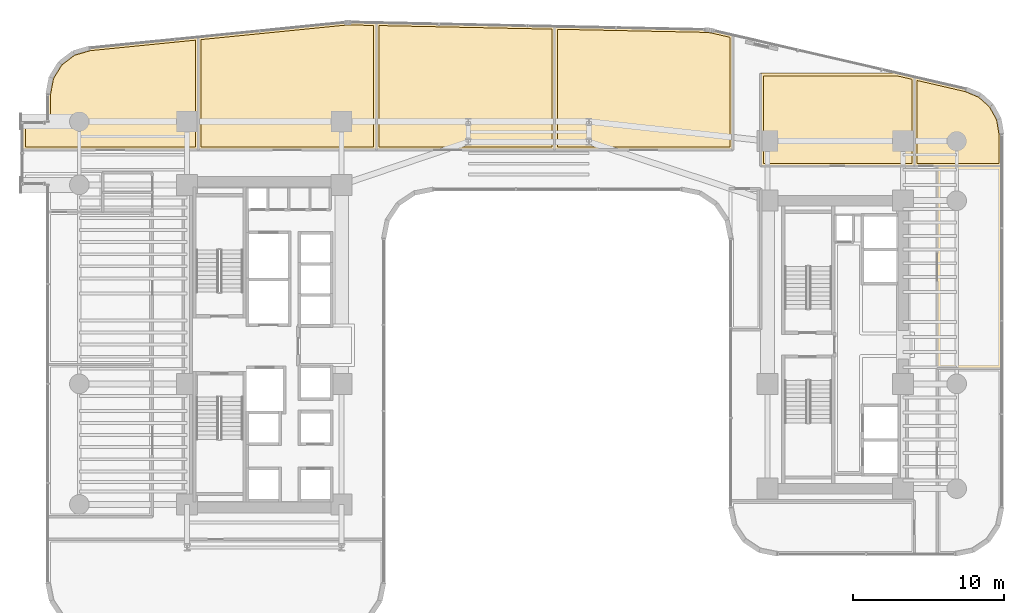
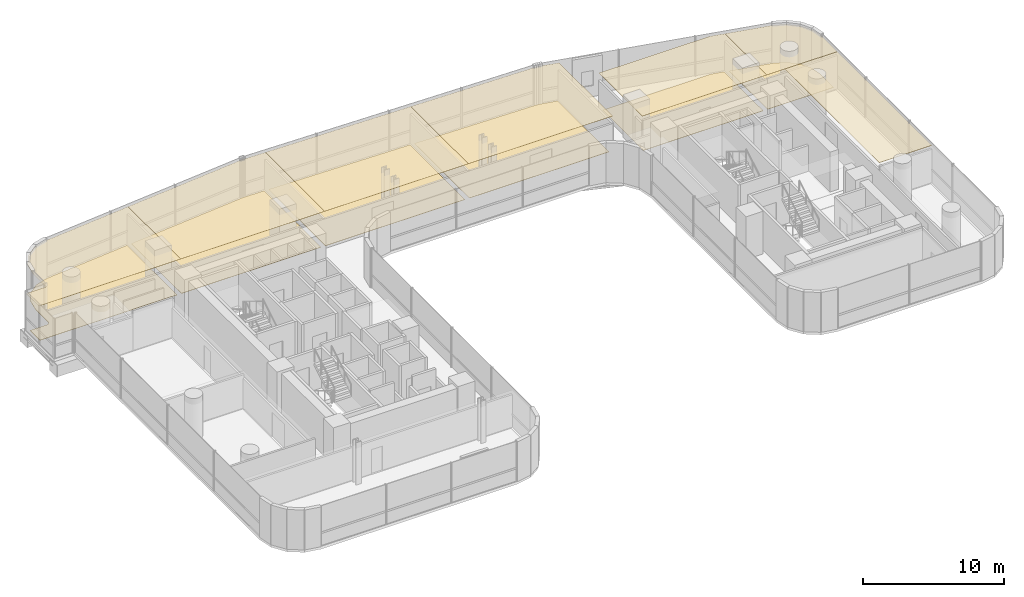
# One storey, part 40 of 40: 13 coverings.
"""IFC4 building model written with IfcOpenShell, lengths in metres."""

from ifc_helpers import new_model, si_unit, direction, frame, origin, place, context, subcontext, project, spatial, polyline, outline, extrude, material, layer, layer_set, type_object, element, save


model = new_model("IFC4")

# Units and contexts
model_context = context("Model", 3, precision=1e-05, world=origin(), true_north=direction((0.0, 1.0)))
body_context = subcontext(model_context, "Body", "Model", "MODEL_VIEW")
ifc_project = project(units=[si_unit("LENGTHUNIT", "METRE"), si_unit("AREAUNIT", "SQUARE_METRE"), si_unit("VOLUMEUNIT", "CUBIC_METRE"), si_unit("PLANEANGLEUNIT", "RADIAN"), si_unit("MASSUNIT", "GRAM", prefix="KILO")], contexts=[model_context])

# Site, building, storey
site_placement = place(None, origin())
site = spatial("IfcSite", under=ifc_project, at=site_placement, CompositionType="ELEMENT")
building_placement = place(site_placement, origin())
building = spatial("IfcBuilding", under=site, at=building_placement, Name="Valdorenza Pilgrim Sanctuary Tower", CompositionType="ELEMENT")
storey_placement = place(building_placement, frame((0.0, 0.0, 48.199951171875)))
storey = spatial("IfcBuildingStorey", under=building, at=storey_placement, Name="L11", CompositionType="ELEMENT", Elevation=48.199951171875)

# Coverings
ifc_material_1 = material(Name="Micro-perforated acoustic mineral ceiling tile", Category="gypsum")
ifc_layer_1 = layer(ifc_material_1, 0.02490234375, Name="Micro-perforated acoustic mineral ceiling tile")
ifc_layer_set_1 = layer_set([ifc_layer_1], Name="Micro-perforated acoustic mineral ceiling tile")
covering_type_1 = type_object("IfcCoveringType", Name="COV-CLG-ACU", PredefinedType="CEILING", material=ifc_layer_set_1)
covering_1_placement = place(storey_placement, frame((0.0, 0.0, 3.16015625)))
element("IfcCovering", 1, at=covering_1_placement, inside=storey, type_object=covering_type_1, Name="L11 Sacred Art Exhibition Gallery L11-N1 Acoustic Ceiling", PredefinedType="CEILING", context=body_context, shape_type="SweptSolid", body=[
    extrude(outline(polyline([(-33.5400390625, 12.905029296875), (-33.54150390625, 12.905029296875), (-33.54296875, 12.9052734375), (-33.54443359375, 12.905517578125), (-33.545654296875, 12.906005859375), (-33.547119140625, 12.90673828125), (-33.54833984375, 12.907470703125), (-33.549560546875, 12.908447265625), (-33.550537109375, 12.909423828125), (-33.551513671875, 12.910400390625), (-33.552490234375, 12.91162109375), (-33.55322265625, 12.912841796875), (-33.553955078125, 12.914306640625), (-33.554443359375, 12.91552734375), (-33.5546875, 12.9169921875), (-33.554931640625, 12.91845703125), (-33.554931640625, 12.919921875), (-33.554931640625, 14.68994140625), (-33.554931640625, 14.69140625), (-33.5546875, 14.69287109375), (-33.554443359375, 14.6943359375), (-33.553955078125, 14.69580078125), (-33.55322265625, 14.697021484375), (-33.552490234375, 14.6982421875), (-33.551513671875, 14.699462890625), (-33.550537109375, 14.70068359375), (-33.549560546875, 14.70166015625), (-33.54833984375, 14.702392578125), (-33.547119140625, 14.703125), (-33.545654296875, 14.703857421875), (-33.54443359375, 14.704345703125), (-33.54296875, 14.70458984375), (-33.54150390625, 14.704833984375), (-33.5400390625, 14.705078125), (-32.00048828125, 14.705078125), (-31.99072265625, 14.70556640625), (-31.9814453125, 14.706787109375), (-31.972412109375, 14.708984375), (-31.963623046875, 14.712158203125), (-31.955078125, 14.71630859375), (-31.947265625, 14.720947265625), (-31.939697265625, 14.7265625), (-31.932861328125, 14.73291015625), (-31.926513671875, 14.73974609375), (-31.9208984375, 14.747314453125), (-31.916259765625, 14.755126953125), (-31.912109375, 14.763671875), (-31.9091796875, 14.7724609375), (-31.90673828125, 14.781494140625), (-31.905517578125, 14.790771484375), (-31.905029296875, 14.80029296875), (-31.905029296875, 16.593994140625), (-31.90478515625, 16.59521484375), (-31.90478515625, 16.5966796875), (-31.6962890625, 17.717041015625), (-31.696044921875, 17.718505859375), (-31.695556640625, 17.7197265625), (-31.695068359375, 17.720947265625), (-31.6943359375, 17.72216796875), (-31.102294921875, 18.68408203125), (-31.1015625, 18.685302734375), (-31.100830078125, 18.686279296875), (-31.099853515625, 18.687255859375), (-31.0986328125, 18.688232421875), (-30.20068359375, 19.372802734375), (-30.199462890625, 19.37353515625), (-30.1982421875, 19.374267578125), (-30.197021484375, 19.374755859375), (-30.19580078125, 19.375244140625), (-29.1015625, 19.694091796875), (-29.10009765625, 19.694580078125), (-29.098876953125, 19.694580078125), (-21.9189453125, 20.41259765625), (-21.91748046875, 20.41259765625), (-21.916015625, 20.41259765625), (-21.91455078125, 20.412353515625), (-21.9130859375, 20.412109375), (-21.911865234375, 20.41162109375), (-21.910400390625, 20.410888671875), (-21.9091796875, 20.41015625), (-21.907958984375, 20.4091796875), (-21.906982421875, 20.408203125), (-21.906005859375, 20.4072265625), (-21.905029296875, 20.406005859375), (-21.904296875, 20.40478515625), (-21.903564453125, 20.403564453125), (-21.903076171875, 20.402099609375), (-21.90283203125, 20.400634765625), (-21.902587890625, 20.399169921875), (-21.902587890625, 20.397705078125), (-21.902587890625, 12.919921875), (-21.902587890625, 12.91845703125), (-21.90283203125, 12.9169921875), (-21.903076171875, 12.91552734375), (-21.903564453125, 12.914306640625), (-21.904296875, 12.912841796875), (-21.905029296875, 12.91162109375), (-21.906005859375, 12.910400390625), (-21.906982421875, 12.909423828125), (-21.907958984375, 12.908447265625), (-21.9091796875, 12.907470703125), (-21.910400390625, 12.90673828125), (-21.911865234375, 12.906005859375), (-21.9130859375, 12.905517578125), (-21.91455078125, 12.9052734375), (-21.916015625, 12.905029296875), (-21.91748046875, 12.905029296875), (-33.5400390625, 12.905029296875)])), origin(), (0.0, 0.0, 1.0), 0.02490234375),
])
covering_2_placement = place(storey_placement, frame((0.0, 0.0, 3.16015625)))
element("IfcCovering", 2, at=covering_2_placement, inside=storey, type_object=covering_type_1, Name="L11 Sacred Art Exhibition Gallery L11-N2 Acoustic Ceiling", PredefinedType="CEILING", context=body_context, shape_type="SweptSolid", body=[
    extrude(outline(polyline([(-21.930419921875, 20.397705078125), (-21.930419921875, 20.398681640625), (-21.930419921875, 20.400390625), (-21.929931640625, 20.401611328125), (-21.9296875, 20.4033203125), (-21.928955078125, 20.404541015625), (-21.92822265625, 20.406005859375), (-21.92724609375, 20.406982421875), (-21.926513671875, 20.408203125), (-21.92529296875, 20.4091796875), (-21.924072265625, 20.410400390625), (-21.9228515625, 20.4111328125), (-21.92138671875, 20.41162109375), (-21.919921875, 20.412109375), (-21.91845703125, 20.41259765625), (-21.9169921875, 20.412841796875), (-12.18359375, 21.38623046875), (-12.183349609375, 21.38623046875), (-12.089599609375, 21.39404296875), (-12.089111328125, 21.39404296875), (-11.996337890625, 21.399169921875), (-11.995849609375, 21.3994140625), (-11.902587890625, 21.401611328125), (-11.90234375, 21.401611328125), (-11.808349609375, 21.40087890625), (-11.80810546875, 21.40087890625), (-10.0947265625, 21.365234375), (-10.09326171875, 21.365234375), (-10.091796875, 21.364990234375), (-10.09033203125, 21.364501953125), (-10.089111328125, 21.364013671875), (-10.087646484375, 21.36328125), (-10.08642578125, 21.36279296875), (-10.085205078125, 21.36181640625), (-10.084228515625, 21.36083984375), (-10.083251953125, 21.359619140625), (-10.08251953125, 21.3583984375), (-10.081787109375, 21.357421875), (-10.0810546875, 21.35595703125), (-10.08056640625, 21.3544921875), (-10.080322265625, 21.353271484375), (-10.080078125, 21.351806640625), (-10.080078125, 21.350341796875), (-10.080078125, 12.919921875), (-10.080078125, 12.91845703125), (-10.080322265625, 12.9169921875), (-10.08056640625, 12.91552734375), (-10.0810546875, 12.914306640625), (-10.081787109375, 12.912841796875), (-10.08251953125, 12.91162109375), (-10.08349609375, 12.910400390625), (-10.08447265625, 12.909423828125), (-10.08544921875, 12.908447265625), (-10.086669921875, 12.907470703125), (-10.087890625, 12.90673828125), (-10.08935546875, 12.906005859375), (-10.090576171875, 12.905517578125), (-10.092041015625, 12.9052734375), (-10.093505859375, 12.905029296875), (-10.094970703125, 12.905029296875), (-21.91552734375, 12.905029296875), (-21.9169921875, 12.905029296875), (-21.91845703125, 12.9052734375), (-21.919921875, 12.905517578125), (-21.921142578125, 12.906005859375), (-21.922607421875, 12.90673828125), (-21.923828125, 12.907470703125), (-21.925048828125, 12.908447265625), (-21.926025390625, 12.909423828125), (-21.927001953125, 12.910400390625), (-21.927978515625, 12.91162109375), (-21.9287109375, 12.912841796875), (-21.929443359375, 12.914306640625), (-21.929931640625, 12.91552734375), (-21.93017578125, 12.9169921875), (-21.930419921875, 12.91845703125), (-21.930419921875, 12.919921875), (-21.930419921875, 20.397705078125), (-21.930419921875, 20.397705078125)])), origin(), (0.0, 0.0, 1.0), 0.02490234375),
])
covering_3_placement = place(storey_placement, frame((0.0, 0.0, 3.16015625)))
element("IfcCovering", 3, at=covering_3_placement, inside=storey, type_object=covering_type_1, Name="L11 Sacred Art Exhibition Gallery L11-N3 Acoustic Ceiling", PredefinedType="CEILING", context=body_context, shape_type="SweptSolid", body=[
    extrude(outline(polyline([(-10.093017578125, 12.905029296875), (-10.094482421875, 12.905029296875), (-10.095947265625, 12.9052734375), (-10.097412109375, 12.905517578125), (-10.0986328125, 12.906005859375), (-10.10009765625, 12.90673828125), (-10.101318359375, 12.907470703125), (-10.1025390625, 12.908447265625), (-10.103515625, 12.909423828125), (-10.1044921875, 12.910400390625), (-10.10546875, 12.91162109375), (-10.106201171875, 12.912841796875), (-10.10693359375, 12.914306640625), (-10.107421875, 12.91552734375), (-10.107666015625, 12.9169921875), (-10.10791015625, 12.91845703125), (-10.10791015625, 12.919921875), (-10.10791015625, 21.350341796875), (-10.10791015625, 21.351806640625), (-10.107666015625, 21.353271484375), (-10.107421875, 21.354736328125), (-10.106689453125, 21.356201171875), (-10.106201171875, 21.357421875), (-10.10546875, 21.358642578125), (-10.1044921875, 21.35986328125), (-10.103515625, 21.361083984375), (-10.102294921875, 21.362060546875), (-10.101318359375, 21.36279296875), (-10.099853515625, 21.363525390625), (-10.098388671875, 21.3642578125), (-10.09716796875, 21.36474609375), (-10.095703125, 21.364990234375), (-10.09423828125, 21.365234375), (-10.0927734375, 21.365234375), (1.727783203125, 21.118896484375), (1.729248046875, 21.118896484375), (1.730712890625, 21.11865234375), (1.732177734375, 21.118408203125), (1.7333984375, 21.117919921875), (1.73486328125, 21.1171875), (1.736083984375, 21.116455078125), (1.7373046875, 21.115478515625), (1.73828125, 21.114501953125), (1.7392578125, 21.11328125), (1.739990234375, 21.1123046875), (1.74072265625, 21.111083984375), (1.741455078125, 21.109619140625), (1.741943359375, 21.1083984375), (1.7421875, 21.10693359375), (1.742431640625, 21.10546875), (1.742431640625, 21.10400390625), (1.742431640625, 12.919921875), (1.742431640625, 12.91845703125), (1.7421875, 12.9169921875), (1.741943359375, 12.91552734375), (1.741455078125, 12.914306640625), (1.74072265625, 12.912841796875), (1.739990234375, 12.91162109375), (1.739013671875, 12.910400390625), (1.738037109375, 12.909423828125), (1.737060546875, 12.908447265625), (1.73583984375, 12.907470703125), (1.734619140625, 12.90673828125), (1.733154296875, 12.906005859375), (1.73193359375, 12.905517578125), (1.73046875, 12.9052734375), (1.72900390625, 12.905029296875), (1.7275390625, 12.905029296875), (-10.093017578125, 12.905029296875)])), origin(), (0.0, 0.0, 1.0), 0.02490234375),
])
covering_4_placement = place(storey_placement, frame((0.0, 0.0, 3.16015625)))
element("IfcCovering", 4, at=covering_4_placement, inside=storey, type_object=covering_type_1, Name="L11 Sacred Art Exhibition Gallery L11-N4 Acoustic Ceiling", PredefinedType="CEILING", context=body_context, shape_type="SweptSolid", body=[
    extrude(outline(polyline([(1.7294921875, 12.905029296875), (1.72802734375, 12.905029296875), (1.7265625, 12.9052734375), (1.72509765625, 12.905517578125), (1.723876953125, 12.906005859375), (1.722412109375, 12.90673828125), (1.72119140625, 12.907470703125), (1.719970703125, 12.908447265625), (1.718994140625, 12.909423828125), (1.718017578125, 12.910400390625), (1.717041015625, 12.91162109375), (1.71630859375, 12.912841796875), (1.715576171875, 12.914306640625), (1.715087890625, 12.91552734375), (1.71484375, 12.9169921875), (1.714599609375, 12.91845703125), (1.714599609375, 12.919921875), (1.714599609375, 21.10400390625), (1.714599609375, 21.10546875), (1.71484375, 21.10693359375), (1.715087890625, 21.1083984375), (1.7158203125, 21.10986328125), (1.71630859375, 21.111083984375), (1.717041015625, 21.1123046875), (1.718017578125, 21.113525390625), (1.718994140625, 21.11474609375), (1.72021484375, 21.11572265625), (1.72119140625, 21.116455078125), (1.72265625, 21.1171875), (1.72412109375, 21.117919921875), (1.725341796875, 21.118408203125), (1.726806640625, 21.11865234375), (1.728271484375, 21.118896484375), (1.729736328125, 21.118896484375), (11.666015625, 20.912109375), (11.66650390625, 20.911865234375), (11.82666015625, 20.904296875), (11.827392578125, 20.904296875), (11.98583984375, 20.888916015625), (11.986572265625, 20.888671875), (12.143798828125, 20.864990234375), (12.14453125, 20.864990234375), (12.302001953125, 20.832763671875), (12.30224609375, 20.832763671875), (13.553466796875, 20.5439453125), (13.5546875, 20.543701171875), (13.55615234375, 20.543212890625), (13.557373046875, 20.54248046875), (13.55859375, 20.541748046875), (13.559814453125, 20.540771484375), (13.560791015625, 20.539794921875), (13.561767578125, 20.538818359375), (13.5625, 20.53759765625), (13.563232421875, 20.536376953125), (13.56396484375, 20.534912109375), (13.564453125, 20.53369140625), (13.564697265625, 20.5322265625), (13.56494140625, 20.53076171875), (13.56494140625, 20.529296875), (13.56494140625, 12.919921875), (13.56494140625, 12.91845703125), (13.564697265625, 12.9169921875), (13.564453125, 12.91552734375), (13.56396484375, 12.914306640625), (13.563232421875, 12.912841796875), (13.5625, 12.91162109375), (13.5615234375, 12.910400390625), (13.560546875, 12.909423828125), (13.5595703125, 12.908447265625), (13.558349609375, 12.907470703125), (13.55712890625, 12.90673828125), (13.5556640625, 12.906005859375), (13.554443359375, 12.905517578125), (13.552978515625, 12.9052734375), (13.551513671875, 12.905029296875), (13.550048828125, 12.905029296875), (1.7294921875, 12.905029296875)])), origin(), (0.0, 0.0, 1.0), 0.02490234375),
])
covering_5_placement = place(storey_placement, frame((0.0, 0.0, 3.16015625)))
element("IfcCovering", 5, at=covering_5_placement, inside=storey, type_object=covering_type_1, Name="L11 Curator Research Office L11-BN1 Acoustic Ceiling", PredefinedType="CEILING", context=body_context, shape_type="SweptSolid", body=[
    extrude(outline(polyline([(15.39990234375, 11.8349609375), (15.3984375, 11.835205078125), (15.397216796875, 11.835205078125), (15.3955078125, 11.835693359375), (15.394287109375, 11.836181640625), (15.392822265625, 11.8369140625), (15.3916015625, 11.83740234375), (15.390380859375, 11.83837890625), (15.389404296875, 11.83935546875), (15.388427734375, 11.840576171875), (15.387451171875, 11.841796875), (15.38671875, 11.843017578125), (15.385986328125, 11.84423828125), (15.385498046875, 11.845703125), (15.38525390625, 11.84716796875), (15.385009765625, 11.848388671875), (15.385009765625, 11.85009765625), (15.385009765625, 18.0), (15.385009765625, 18.00146484375), (15.38525390625, 18.0029296875), (15.385498046875, 18.00439453125), (15.385986328125, 18.005615234375), (15.38671875, 18.007080078125), (15.387451171875, 18.00830078125), (15.388427734375, 18.009521484375), (15.389404296875, 18.010498046875), (15.390380859375, 18.01171875), (15.3916015625, 18.012451171875), (15.392822265625, 18.01318359375), (15.394287109375, 18.013916015625), (15.3955078125, 18.014404296875), (15.397216796875, 18.0146484375), (15.3984375, 18.014892578125), (15.39990234375, 18.014892578125), (24.5107421875, 18.014892578125), (24.512451171875, 18.014892578125), (24.51416015625, 18.0146484375), (25.603515625, 17.76318359375), (25.604736328125, 17.762939453125), (25.606201171875, 17.76220703125), (25.607421875, 17.76171875), (25.608642578125, 17.760986328125), (25.609619140625, 17.760009765625), (25.61083984375, 17.759033203125), (25.61181640625, 17.758056640625), (25.612548828125, 17.7568359375), (25.61328125, 17.755615234375), (25.614013671875, 17.75439453125), (25.614501953125, 17.7529296875), (25.61474609375, 17.75146484375), (25.614990234375, 17.75), (25.614990234375, 17.74853515625), (25.614990234375, 11.85009765625), (25.614990234375, 11.848388671875), (25.61474609375, 11.84716796875), (25.614501953125, 11.845703125), (25.614013671875, 11.84423828125), (25.61328125, 11.843017578125), (25.612548828125, 11.841796875), (25.611572265625, 11.840576171875), (25.610595703125, 11.83935546875), (25.609619140625, 11.83837890625), (25.6083984375, 11.83740234375), (25.607177734375, 11.8369140625), (25.605712890625, 11.836181640625), (25.6044921875, 11.835693359375), (25.602783203125, 11.835205078125), (25.6015625, 11.835205078125), (25.60009765625, 11.8349609375), (15.39990234375, 11.8349609375)])), origin(), (0.0, 0.0, 1.0), 0.02490234375),
])
covering_6_placement = place(storey_placement, frame((0.0, 0.0, 3.16015625)))
element("IfcCovering", 6, at=covering_6_placement, inside=storey, type_object=covering_type_1, Name="L11 East Wing Reference Library L11-BNE Acoustic Ceiling", PredefinedType="CEILING", context=body_context, shape_type="SweptSolid", body=[
    extrude(outline(polyline([(28.9892578125, 16.98193359375), (28.990478515625, 16.981689453125), (28.99169921875, 16.981201171875), (29.95361328125, 16.580322265625), (29.955078125, 16.57958984375), (29.95654296875, 16.57861328125), (29.9580078125, 16.57763671875), (30.72705078125, 15.88818359375), (30.728271484375, 15.886962890625), (30.729248046875, 15.8857421875), (30.72998046875, 15.88427734375), (31.22900390625, 14.97998046875), (31.2294921875, 14.978271484375), (31.230224609375, 14.976806640625), (31.230712890625, 14.97509765625), (31.40478515625, 13.947509765625), (31.40478515625, 13.9462890625), (31.405029296875, 13.945068359375), (31.405029296875, 11.85009765625), (31.40478515625, 11.848388671875), (31.40478515625, 11.84716796875), (31.404296875, 11.845703125), (31.40380859375, 11.84423828125), (31.4033203125, 11.843017578125), (31.402587890625, 11.841796875), (31.401611328125, 11.840576171875), (31.400634765625, 11.83935546875), (31.3994140625, 11.83837890625), (31.398193359375, 11.83740234375), (31.397216796875, 11.8369140625), (31.395751953125, 11.836181640625), (31.394287109375, 11.835693359375), (31.392822265625, 11.835205078125), (31.3916015625, 11.835205078125), (31.389892578125, 11.8349609375), (25.60205078125, 11.8349609375), (25.6005859375, 11.835205078125), (25.59912109375, 11.835205078125), (25.59765625, 11.835693359375), (25.59619140625, 11.836181640625), (25.594970703125, 11.8369140625), (25.59375, 11.83740234375), (25.592529296875, 11.83837890625), (25.59130859375, 11.83935546875), (25.59033203125, 11.840576171875), (25.589599609375, 11.841796875), (25.5888671875, 11.843017578125), (25.588134765625, 11.84423828125), (25.587646484375, 11.845703125), (25.58740234375, 11.84716796875), (25.587158203125, 11.848388671875), (25.5869140625, 11.85009765625), (25.5869140625, 17.748291015625), (25.587158203125, 17.749755859375), (25.58740234375, 17.751220703125), (25.587646484375, 17.752685546875), (25.588134765625, 17.75390625), (25.5888671875, 17.75537109375), (25.589599609375, 17.756591796875), (25.590576171875, 17.7578125), (25.591552734375, 17.7587890625), (25.5927734375, 17.760009765625), (25.593994140625, 17.7607421875), (25.59521484375, 17.761474609375), (25.596435546875, 17.76220703125), (25.597900390625, 17.7626953125), (25.599365234375, 17.762939453125), (25.600830078125, 17.76318359375), (25.602294921875, 17.76318359375), (25.60400390625, 17.76318359375), (25.60546875, 17.7626953125), (28.9892578125, 16.98193359375)])), origin(), (0.0, 0.0, 1.0), 0.02490234375),
])
covering_7_placement = place(storey_placement, frame((0.0, 0.0, 3.16015625)))
element("IfcCovering", 7, at=covering_7_placement, inside=storey, type_object=covering_type_1, Name="L11 Sacred Art Exhibition Gallery L11-EB2 Acoustic Ceiling", PredefinedType="CEILING", context=body_context, shape_type="SweptSolid", body=[
    extrude(outline(polyline([(27.0849609375, 11.847900390625), (27.085205078125, 11.849609375), (27.085205078125, 11.850830078125), (27.085693359375, 11.852294921875), (27.086181640625, 11.853759765625), (27.0869140625, 11.85498046875), (27.08740234375, 11.856201171875), (27.08837890625, 11.857421875), (27.08935546875, 11.858642578125), (27.090576171875, 11.859619140625), (27.091796875, 11.860595703125), (27.093017578125, 11.861083984375), (27.09423828125, 11.86181640625), (27.095703125, 11.8623046875), (27.09716796875, 11.86279296875), (27.098388671875, 11.86279296875), (27.10009765625, 11.863037109375), (31.389892578125, 11.863037109375), (31.3916015625, 11.86279296875), (31.392822265625, 11.86279296875), (31.394287109375, 11.8623046875), (31.395751953125, 11.86181640625), (31.397216796875, 11.861083984375), (31.398193359375, 11.860595703125), (31.3994140625, 11.859619140625), (31.400634765625, 11.858642578125), (31.401611328125, 11.857421875), (31.402587890625, 11.856201171875), (31.4033203125, 11.85498046875), (31.40380859375, 11.853759765625), (31.404296875, 11.852294921875), (31.40478515625, 11.850830078125), (31.40478515625, 11.849609375), (31.405029296875, 11.847900390625), (31.405029296875, -1.572998046875), (31.40478515625, -1.574462890625), (31.40478515625, -1.575927734375), (31.404296875, -1.577392578125), (31.40380859375, -1.57861328125), (31.4033203125, -1.580078125), (31.402587890625, -1.581298828125), (31.401611328125, -1.58251953125), (31.400634765625, -1.58349609375), (31.3994140625, -1.584716796875), (31.398193359375, -1.58544921875), (31.397216796875, -1.586181640625), (31.395751953125, -1.5869140625), (31.394287109375, -1.58740234375), (31.392822265625, -1.587646484375), (31.3916015625, -1.587890625), (31.389892578125, -1.587890625), (27.10009765625, -1.587890625), (27.098388671875, -1.587890625), (27.09716796875, -1.587646484375), (27.095703125, -1.58740234375), (27.09423828125, -1.5869140625), (27.093017578125, -1.586181640625), (27.091796875, -1.58544921875), (27.090576171875, -1.584716796875), (27.08935546875, -1.58349609375), (27.08837890625, -1.58251953125), (27.08740234375, -1.581298828125), (27.0869140625, -1.580078125), (27.086181640625, -1.57861328125), (27.085693359375, -1.577392578125), (27.085205078125, -1.575927734375), (27.085205078125, -1.574462890625), (27.0849609375, -1.572998046875), (27.0849609375, 11.847900390625)])), origin(), (0.0, 0.0, 1.0), 0.02490234375),
])
ifc_material_2 = material(Name="Honed travertine stone flooring", Category="masonry")
ifc_layer_2 = layer(ifc_material_2, 0.030029296875, Name="Honed travertine stone flooring")
ifc_layer_set_2 = layer_set([ifc_layer_2], Name="Honed travertine stone flooring")
covering_type_2 = type_object("IfcCoveringType", Name="COV-FLR-TRV", PredefinedType="FLOORING", material=ifc_layer_set_2)
covering_8_placement = place(storey_placement, origin())
element("IfcCovering", 8, at=covering_8_placement, inside=storey, type_object=covering_type_2, Name="L11 Sacred Art Exhibition Gallery L11-N1 Flooring", PredefinedType="FLOORING", context=body_context, shape_type="SweptSolid", body=[
    extrude(outline(polyline([(-33.360107421875, 13.10009765625), (-33.360107421875, 14.510009765625), (-32.0, 14.510009765625), (-31.9912109375, 14.51025390625), (-31.98046875, 14.5107421875), (-31.962890625, 14.512451171875), (-31.9521484375, 14.51416015625), (-31.934814453125, 14.517578125), (-31.92431640625, 14.52001953125), (-31.907470703125, 14.525390625), (-31.897216796875, 14.52880859375), (-31.880859375, 14.53564453125), (-31.87109375, 14.540283203125), (-31.855712890625, 14.548583984375), (-31.84619140625, 14.55419921875), (-31.831787109375, 14.56396484375), (-31.822998046875, 14.5703125), (-31.809326171875, 14.58154296875), (-31.80126953125, 14.5888671875), (-31.788818359375, 14.601318359375), (-31.781494140625, 14.609375), (-31.7705078125, 14.623046875), (-31.763916015625, 14.631591796875), (-31.754150390625, 14.646240234375), (-31.74853515625, 14.655517578125), (-31.740234375, 14.671142578125), (-31.735595703125, 14.680908203125), (-31.72900390625, 14.697265625), (-31.725341796875, 14.70751953125), (-31.72021484375, 14.724365234375), (-31.717529296875, 14.73486328125), (-31.714111328125, 14.752197265625), (-31.71240234375, 14.7626953125), (-31.710693359375, 14.780517578125), (-31.710205078125, 14.791259765625), (-31.7099609375, 14.800048828125), (-31.7099609375, 16.577392578125), (-31.5107421875, 17.6484375), (-30.953857421875, 18.553466796875), (-30.109130859375, 19.197509765625), (-29.06298828125, 19.502197265625), (-22.097412109375, 20.19873046875), (-22.097412109375, 13.10009765625), (-33.360107421875, 13.10009765625)])), origin(), (0.0, 0.0, 1.0), 0.025146484375),
])
covering_9_placement = place(storey_placement, origin())
element("IfcCovering", 9, at=covering_9_placement, inside=storey, type_object=covering_type_2, Name="L11 Sacred Art Exhibition Gallery L11-N2 Flooring", PredefinedType="FLOORING", context=body_context, shape_type="SweptSolid", body=[
    extrude(outline(polyline([(-21.735595703125, 13.10009765625), (-21.735595703125, 20.23486328125), (-12.16552734375, 21.19189453125), (-12.07568359375, 21.19970703125), (-11.98828125, 21.204345703125), (-11.900634765625, 21.20654296875), (-11.810791015625, 21.2060546875), (-10.27490234375, 21.174072265625), (-10.27490234375, 13.10009765625), (-21.735595703125, 13.10009765625)])), origin(), (0.0, 0.0, 1.0), 0.025146484375),
])
covering_10_placement = place(storey_placement, origin())
element("IfcCovering", 10, at=covering_10_placement, inside=storey, type_object=covering_type_2, Name="L11 Sacred Art Exhibition Gallery L11-N3 Flooring", PredefinedType="FLOORING", context=body_context, shape_type="SweptSolid", body=[
    extrude(outline(polyline([(-9.9130859375, 13.10009765625), (-9.9130859375, 21.16650390625), (1.547607421875, 20.927734375), (1.547607421875, 13.10009765625), (-9.9130859375, 13.10009765625)])), origin(), (0.0, 0.0, 1.0), 0.025146484375),
])
covering_11_placement = place(storey_placement, origin())
element("IfcCovering", 11, at=covering_11_placement, inside=storey, type_object=covering_type_2, Name="L11 Sacred Art Exhibition Gallery L11-N4 Flooring", PredefinedType="FLOORING", context=body_context, shape_type="SweptSolid", body=[
    extrude(outline(polyline([(1.909423828125, 13.10009765625), (1.909423828125, 20.920166015625), (11.65966796875, 20.717041015625), (11.81298828125, 20.7099609375), (11.962158203125, 20.6953125), (12.110107421875, 20.6728515625), (12.2607421875, 20.64208984375), (13.3701171875, 20.38623046875), (13.3701171875, 13.10009765625), (1.909423828125, 13.10009765625)])), origin(), (0.0, 0.0, 1.0), 0.025146484375),
])
covering_12_placement = place(storey_placement, origin())
element("IfcCovering", 12, at=covering_12_placement, inside=storey, type_object=covering_type_2, Name="L11 Curator Research Office L11-BN1 Flooring", PredefinedType="FLOORING", context=body_context, shape_type="SweptSolid", body=[
    extrude(outline(polyline([(15.580078125, 12.030029296875), (15.580078125, 17.820068359375), (24.490234375, 17.820068359375), (25.419921875, 17.60546875), (25.419921875, 12.030029296875), (15.580078125, 12.030029296875)])), origin(), (0.0, 0.0, 1.0), 0.025146484375),
])
covering_13_placement = place(storey_placement, origin())
element("IfcCovering", 13, at=covering_13_placement, inside=storey, type_object=covering_type_2, Name="L11 East Wing Reference Library L11-BNE Flooring", PredefinedType="FLOORING", context=body_context, shape_type="SweptSolid", body=[
    extrude(outline(polyline([(28.9306640625, 16.79541015625), (29.8505859375, 16.412109375), (30.57421875, 15.763427734375), (31.04345703125, 14.912353515625), (31.2099609375, 13.929931640625), (31.2099609375, 12.030029296875), (25.781982421875, 12.030029296875), (25.781982421875, 17.52197265625), (28.9306640625, 16.79541015625)])), origin(), (0.0, 0.0, 1.0), 0.025146484375),
])

save(model, "model.ifc")
